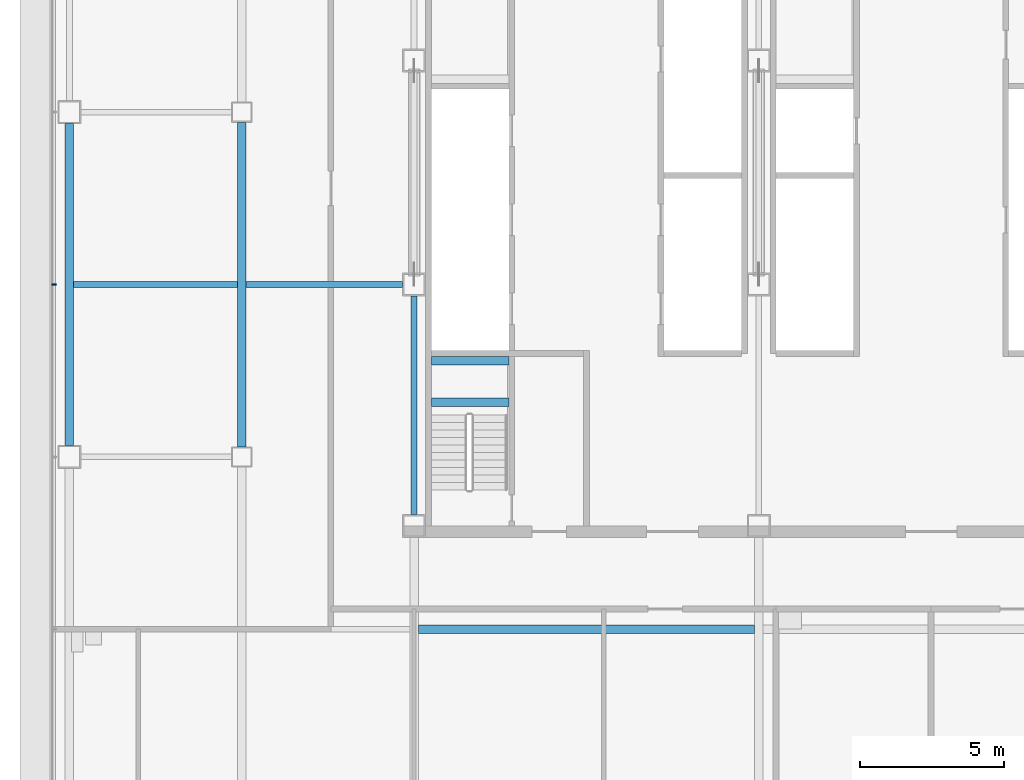
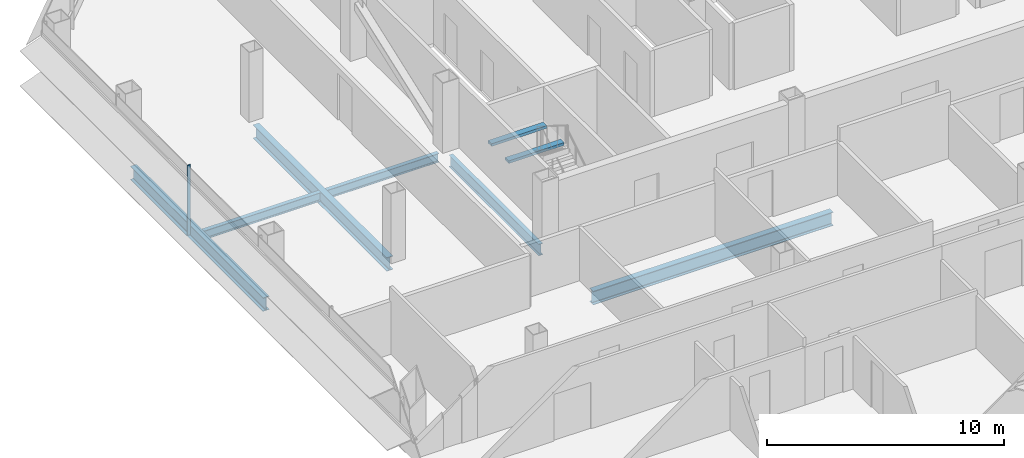
# One storey, part 6 of 25: 8 beams, 1 member, 1 element without a shape of its own.
"""IFC4 building model written with IfcOpenShell, lengths in metres."""

from ifc_helpers import new_model, si_unit, direction, frame, origin, origin_2d, place, context, subcontext, project, spatial, rectangle, i_section, extrude, material, material_profile, profile_set, type_object, element, aggregate, save


model = new_model("IFC4")

# Units and contexts
model_context = context("Model", 3, precision=1e-05, world=origin(), true_north=direction((0.0, 1.0)))
body_context = subcontext(model_context, "Body", "Model", "MODEL_VIEW")
ifc_project = project(units=[si_unit("LENGTHUNIT", "METRE"), si_unit("AREAUNIT", "SQUARE_METRE"), si_unit("VOLUMEUNIT", "CUBIC_METRE"), si_unit("PLANEANGLEUNIT", "RADIAN"), si_unit("MASSUNIT", "GRAM", prefix="KILO")], contexts=[model_context])

# Site, building, storey
site_placement = place(None, origin())
site = spatial("IfcSite", under=ifc_project, at=site_placement, CompositionType="ELEMENT")
building_placement = place(site_placement, origin())
building = spatial("IfcBuilding", under=site, at=building_placement, Name="Sorahane Residences", CompositionType="ELEMENT")
storey_placement = place(building_placement, frame((0.0, 0.0, 119.60009765625)))
storey = spatial("IfcBuildingStorey", under=building, at=storey_placement, Name="L26", CompositionType="ELEMENT", Elevation=119.60009765625)

# Curtain wall, member
ifc_material_1 = material(Name="Dark low-e glass and black anodised aluminium", Category="aluminium")
curtain_wall_type = type_object("IfcCurtainWallType", Name="Curtain wall CW-1 Typical unitised wall", PredefinedType="NOTDEFINED", material=ifc_material_1)
curtain_wall_placement = place(storey_placement, origin())
curtain_wall = element("IfcCurtainWall", 1, at=curtain_wall_placement, inside=storey, type_object=curtain_wall_type, Name="CW-1 curtain wall L26 W1", PredefinedType="NOTDEFINED")
ifc_material_2 = material(Name="Black anodised aluminium", Category="aluminium")
ifc_material_profile_1 = material_profile(ifc_material_2, rectangle(XDim=0.159912109375, YDim=0.050048828125, at=origin_2d()), Name="Curtain wall mullion CW-1 black anodised aluminium 50x160")
ifc_profile_set_1 = profile_set([ifc_material_profile_1], Name="Black anodised aluminium")
member_type = type_object("IfcMemberType", Name="Curtain wall mullion CW-1 black anodised aluminium 50x160", PredefinedType="MULLION", material=ifc_profile_set_1)
member_placement = place(storey_placement, frame((-6.5400390625, 30.0, -0.18017578125), z_axis=(0.0, 0.0, 1.0), x_axis=(-1.0, 0.0, 0.0)))
member = element("IfcMember", 2, at=member_placement, type_object=member_type, Name="CW-1 mullion L26 W1.3", PredefinedType="MULLION", context=body_context, shape_type="SweptSolid", body=[
    extrude(rectangle(XDim=0.159912109375, YDim=0.050048828125, at=origin_2d()), origin(), (0.0, 0.0, 1.0), 3.60009765625),
])
aggregate(curtain_wall, [member])

# Beams
ifc_material_3 = material(Name="Concrete C40", Category="concrete")
ifc_material_profile_2 = material_profile(ifc_material_3, rectangle(XDim=0.300048828125, YDim=0.139892578125, at=origin_2d()), Name="300x140")
ifc_profile_set_2 = profile_set([ifc_material_profile_2], Name="Concrete C40")
beam_type_1 = type_object("IfcBeamType", Name="RC landing beam 300 x 140 Concrete C40", PredefinedType="BEAM", material=ifc_profile_set_2)
for number, where, z_axis, x_axis, name in (
    (3, (6.60009765625, 25.89990234375, 1.52978515625), (1.0, 0.0, 0.0), (0.0, 1.0, 0.0), "Landing beam"),
    (4, (6.60009765625, 27.35009765625, 1.52978515625), (1.0, 0.0, 0.0), (0.0, 1.0, 0.0), "Landing beam"),
):
    element("IfcBeam", number, at=place(storey_placement, frame(where, z_axis=z_axis, x_axis=x_axis)), inside=storey, type_object=beam_type_1, Name=name, PredefinedType="BEAM", context=body_context, shape_type="SweptSolid", body=[
        extrude(rectangle(XDim=0.300048828125, YDim=0.139892578125, at=origin_2d()), origin(), (0.0, 0.0, 1.0), 2.699951171875),
    ])
ifc_material_4 = material(Name="Steel Q355B", Category="steel")
ifc_material_profile_3 = material_profile(ifc_material_4, i_section(OverallWidth=0.199951171875, OverallDepth=0.449951171875, WebThickness=0.009033203125, FlangeThickness=0.013916015625, FilletRadius=0.02001953125, at=origin_2d()), Name="HN 450x200x9x14")
ifc_profile_set_3 = profile_set([ifc_material_profile_3], Name="Steel Q355B")
beam_type_2 = type_object("IfcBeamType", Name="Steel floor beam HN 450x200x9x14 Q355B", PredefinedType="BEAM", material=ifc_profile_set_3)
beam_1_placement = place(storey_placement, frame((-5.85009765625, 30.0, -0.405029296875), z_axis=(1.0, 0.0, 0.0), x_axis=(0.0, 1.0, 0.0)))
element("IfcBeam", 5, at=beam_1_placement, inside=storey, type_object=beam_type_2, Name="Beam L26 085", PredefinedType="BEAM", context=body_context, shape_type="SweptSolid", body=[
    extrude(i_section(OverallWidth=0.199951171875, OverallDepth=0.449951171875, WebThickness=0.009033203125, FlangeThickness=0.013916015625, FilletRadius=0.02001953125, at=origin_2d()), origin(), (0.0, 0.0, 1.0), 5.7001953125),
])
beam_2_placement = place(storey_placement, frame((0.14990234375, 30.0, -0.405029296875), z_axis=(1.0, 0.0, 0.0), x_axis=(0.0, 1.0, 0.0)))
element("IfcBeam", 6, at=beam_2_placement, inside=storey, type_object=beam_type_2, Name="Beam L26 086", PredefinedType="BEAM", context=body_context, shape_type="SweptSolid", body=[
    extrude(i_section(OverallWidth=0.199951171875, OverallDepth=0.449951171875, WebThickness=0.009033203125, FlangeThickness=0.013916015625, FilletRadius=0.02001953125, at=origin_2d()), origin(), (0.0, 0.0, 1.0), 5.4501953125),
])
ifc_material_5 = material(Name="Steel Q355B", Category="steel")
ifc_material_profile_4 = material_profile(ifc_material_5, i_section(OverallWidth=0.199951171875, OverallDepth=0.60009765625, WebThickness=0.010986328125, FlangeThickness=0.01708984375, FilletRadius=0.02392578125, at=origin_2d()), Name="HN 600x200x11x17")
ifc_profile_set_4 = profile_set([ifc_material_profile_4], Name="Steel Q355B")
beam_type_3 = type_object("IfcBeamType", Name="Steel floor beam HN 600x200x11x17 Q355B", PredefinedType="BEAM", material=ifc_profile_set_4)
beam_3_placement = place(storey_placement, frame((6.0, 22.0, -0.47998046875), z_axis=(0.0, 1.0, 0.0), x_axis=(-1.0, 0.0, 0.0)))
element("IfcBeam", 7, at=beam_3_placement, inside=storey, type_object=beam_type_3, Name="Beam L26 030", PredefinedType="BEAM", context=body_context, shape_type="SweptSolid", body=[
    extrude(i_section(OverallWidth=0.199951171875, OverallDepth=0.60009765625, WebThickness=0.010986328125, FlangeThickness=0.01708984375, FilletRadius=0.02392578125, at=origin_2d()), origin(), (0.0, 0.0, 1.0), 7.60009765625),
])
ifc_material_6 = material(Name="Steel Q355B", Category="steel")
ifc_material_profile_5 = material_profile(ifc_material_6, i_section(OverallWidth=0.300048828125, OverallDepth=0.699951171875, WebThickness=0.012939453125, FlangeThickness=0.02392578125, FilletRadius=0.028076171875, at=origin_2d()), Name="HN 700x300x13x24")
ifc_profile_set_5 = profile_set([ifc_material_profile_5], Name="Steel Q355B")
beam_type_4 = type_object("IfcBeamType", Name="Steel floor beam HN 700x300x13x24 Q355B", PredefinedType="BEAM", material=ifc_profile_set_5)
beam_4_placement = place(storey_placement, frame((-6.0, 24.39990234375, -0.530029296875), z_axis=(0.0, 1.0, 0.0), x_axis=(-1.0, 0.0, 0.0)))
element("IfcBeam", 8, at=beam_4_placement, inside=storey, type_object=beam_type_4, Name="Beam L26 022", PredefinedType="BEAM", context=body_context, shape_type="SweptSolid", body=[
    extrude(i_section(OverallWidth=0.300048828125, OverallDepth=0.699951171875, WebThickness=0.012939453125, FlangeThickness=0.02392578125, FilletRadius=0.028076171875, at=origin_2d()), origin(), (0.0, 0.0, 1.0), 11.2001953125),
])
beam_5_placement = place(storey_placement, frame((0.0, 24.35009765625, -0.530029296875), z_axis=(0.0, 1.0, 0.0), x_axis=(-1.0, 0.0, 0.0)))
element("IfcBeam", 9, at=beam_5_placement, inside=storey, type_object=beam_type_4, Name="Beam L26 026", PredefinedType="BEAM", context=body_context, shape_type="SweptSolid", body=[
    extrude(i_section(OverallWidth=0.300048828125, OverallDepth=0.699951171875, WebThickness=0.012939453125, FlangeThickness=0.02392578125, FilletRadius=0.028076171875, at=origin_2d()), origin(), (0.0, 0.0, 1.0), 11.2998046875),
])
beam_6_placement = place(storey_placement, frame((6.14990234375, 18.0, -0.530029296875), z_axis=(1.0, 0.0, 0.0), x_axis=(0.0, 1.0, 0.0)))
element("IfcBeam", 10, at=beam_6_placement, inside=storey, type_object=beam_type_4, Name="Beam L26 080", PredefinedType="BEAM", context=body_context, shape_type="SweptSolid", body=[
    extrude(i_section(OverallWidth=0.300048828125, OverallDepth=0.699951171875, WebThickness=0.012939453125, FlangeThickness=0.02392578125, FilletRadius=0.028076171875, at=origin_2d()), origin(), (0.0, 0.0, 1.0), 11.7001953125),
])

save(model, "model.ifc")
